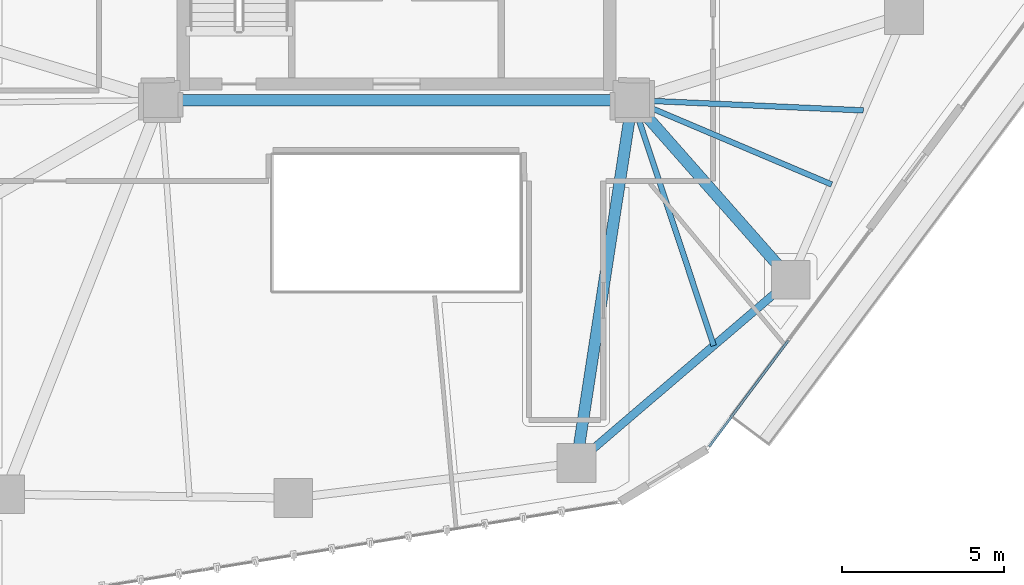
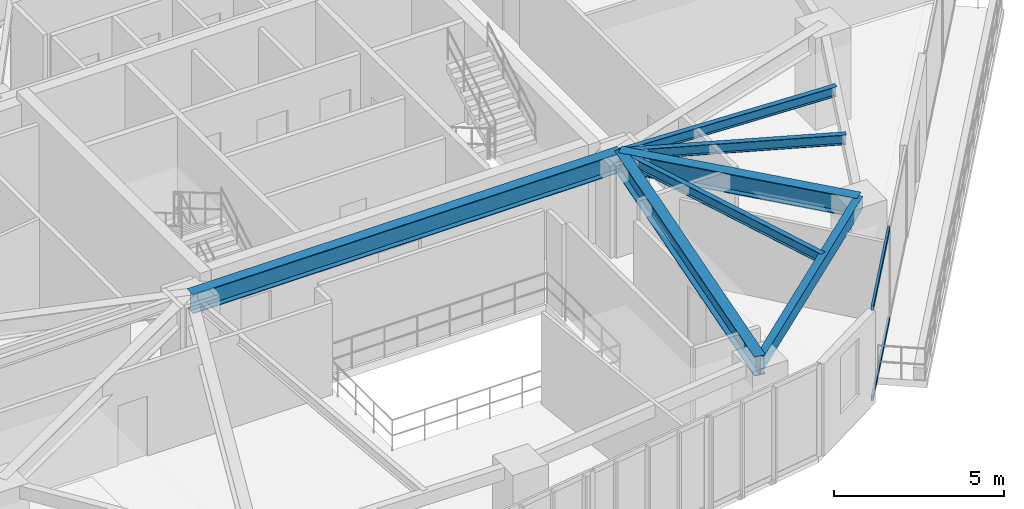
# One storey, part 7 of 23: 7 beams, 2 members, 1 element without a shape of its own.
"""IFC4 building model written with IfcOpenShell, lengths in metres."""

from ifc_helpers import new_model, si_unit, direction, frame, origin, origin_2d, place, context, subcontext, project, spatial, hollow_rectangle, i_section, extrude, source, transform, mapped, material, layer, layer_set, material_profile, profile_set, type_object, type_shapes, element, aggregate, save


model = new_model("IFC4")

# Units and contexts
model_context = context("Model", 3, precision=1e-05, world=origin(), true_north=direction((0.0, 1.0)))
body_context = subcontext(model_context, "Body", "Model", "MODEL_VIEW")
ifc_project = project(units=[si_unit("LENGTHUNIT", "METRE"), si_unit("AREAUNIT", "SQUARE_METRE"), si_unit("VOLUMEUNIT", "CUBIC_METRE"), si_unit("PLANEANGLEUNIT", "RADIAN"), si_unit("MASSUNIT", "GRAM", prefix="KILO")], contexts=[model_context])

# Site, building, storey
site_placement = place(None, origin())
site = spatial("IfcSite", under=ifc_project, at=site_placement, CompositionType="ELEMENT")
building_placement = place(site_placement, origin())
building = spatial("IfcBuilding", under=site, at=building_placement, Name="Talar Marvaseh", CompositionType="ELEMENT")
storey_placement = place(building_placement, frame((0.0, 0.0, 118.199951171875)))
storey = spatial("IfcBuildingStorey", under=building, at=storey_placement, Name="L30", CompositionType="ELEMENT", Elevation=118.199951171875)

# Beams
ifc_material_1 = material(Name="Steel S355", Category="steel")
ifc_material_profile_1 = material_profile(ifc_material_1, hollow_rectangle(XDim=0.25, YDim=0.449951171875, WallThickness=0.01611328125, at=origin_2d()), Name="RHS450x250x16")
ifc_profile_set_1 = profile_set([ifc_material_profile_1], Name="Steel S355")
beam_type_1 = type_object("IfcBeamType", Name="Zone 2 Perimeter Spandrel Beam RHS450x250x16", PredefinedType="SPANDREL", material=ifc_profile_set_1)
beam_1_placement = place(storey_placement, frame((38.2060546875, 19.94091796875, 3.0849609375), z_axis=(-0.76011265597, -0.649791312833, 0.0), x_axis=(0.649791312833, -0.76011265597, 0.0)))
element("IfcBeam", 1, at=beam_1_placement, inside=storey, type_object=beam_type_1, Name="L30 Zone 2 Perimeter Spandrel Beam RHS450x250x16", PredefinedType="SPANDREL", context=body_context, shape_type="SweptSolid", body=[
    extrude(hollow_rectangle(XDim=0.25, YDim=0.449951171875, WallThickness=0.01611328125, at=origin_2d()), origin(), (0.0, 0.0, 1.0), 8.730224609375),
])
ifc_material_profile_2 = material_profile(ifc_material_1, i_section(OverallWidth=0.35498046875, OverallDepth=0.695068359375, WebThickness=0.015380859375, FlangeThickness=0.02490234375, at=origin_2d()), Name="W690x217")
ifc_profile_set_2 = profile_set([ifc_material_profile_2], Name="Steel S355")
beam_type_2 = type_object("IfcBeamType", Name="Zone 2 Radial Floor Girder W690x217", PredefinedType="BEAM", material=ifc_profile_set_2)
beam_2_placement = place(storey_placement, frame((18.699951171875, 25.5, 2.962646484375), z_axis=(1.0, 0.0, 0.0), x_axis=(0.0, 1.0, 0.0)))
element("IfcBeam", 2, at=beam_2_placement, inside=storey, type_object=beam_type_2, Name="L30 Zone 2 Radial Floor Girder W690x217", PredefinedType="BEAM", context=body_context, shape_type="SweptSolid", body=[
    extrude(i_section(OverallWidth=0.35498046875, OverallDepth=0.695068359375, WebThickness=0.015380859375, FlangeThickness=0.02490234375, at=origin_2d()), origin(), (0.0, 0.0, 1.0), 14.60009765625),
])
beam_3_placement = place(storey_placement, frame((38.2060546875, 19.94091796875, 2.962646484375), z_axis=(-0.661692423388, 0.749775390921, 0.0), x_axis=(-0.749775390921, -0.661692423388, 0.0)))
element("IfcBeam", 3, at=beam_3_placement, inside=storey, type_object=beam_type_2, Name="L30 Zone 2 Radial Floor Girder W690x217", PredefinedType="BEAM", context=body_context, shape_type="SweptSolid", body=[
    extrude(i_section(OverallWidth=0.35498046875, OverallDepth=0.695068359375, WebThickness=0.015380859375, FlangeThickness=0.02490234375, at=origin_2d()), origin(), (0.0, 0.0, 1.0), 7.414306640625),
])
beam_4_placement = place(storey_placement, frame((31.570068359375, 14.26806640625, 2.962646484375), z_axis=(0.152228300633, 0.98834535689, 0.0), x_axis=(-0.98834535689, 0.152228300633, 0.0)))
element("IfcBeam", 4, at=beam_4_placement, inside=storey, type_object=beam_type_2, Name="L30 Zone 2 Radial Floor Girder W690x217", PredefinedType="BEAM", context=body_context, shape_type="SweptSolid", body=[
    extrude(i_section(OverallWidth=0.35498046875, OverallDepth=0.695068359375, WebThickness=0.015380859375, FlangeThickness=0.02490234375, at=origin_2d()), origin(), (0.0, 0.0, 1.0), 11.364501953125),
])
ifc_material_profile_3 = material_profile(ifc_material_1, i_section(OverallWidth=0.172119140625, OverallDepth=0.35791015625, WebThickness=0.0078125, FlangeThickness=0.01318359375, at=origin_2d()), Name="W360x57")
ifc_profile_set_3 = profile_set([ifc_material_profile_3], Name="Steel S355")
beam_type_3 = type_object("IfcBeamType", Name="Zone 2 Secondary Floor Joist W360x57", PredefinedType="JOIST", material=ifc_profile_set_3)
beam_5_placement = place(storey_placement, frame((40.447998046875, 25.1806640625, 3.131103515625), z_axis=(-0.999003555358, 0.044630666385, 0.0), x_axis=(-0.044630666385, -0.999003555358, 0.0)))
element("IfcBeam", 5, at=beam_5_placement, inside=storey, type_object=beam_type_3, Name="L30 Zone 2 Secondary Floor Joist W360x57", PredefinedType="JOIST", context=body_context, shape_type="SweptSolid", body=[
    extrude(i_section(OverallWidth=0.172119140625, OverallDepth=0.35791015625, WebThickness=0.0078125, FlangeThickness=0.01318359375, at=origin_2d()), origin(), (0.0, 0.0, 1.0), 7.155029296875),
])
beam_6_placement = place(storey_placement, frame((39.467041015625, 22.88818359375, 3.131103515625), z_axis=(-0.920822287071, 0.389982455546, 0.0), x_axis=(-0.389982455546, -0.920822287071, 0.0)))
element("IfcBeam", 6, at=beam_6_placement, inside=storey, type_object=beam_type_3, Name="L30 Zone 2 Secondary Floor Joist W360x57", PredefinedType="JOIST", context=body_context, shape_type="SweptSolid", body=[
    extrude(i_section(OverallWidth=0.172119140625, OverallDepth=0.35791015625, WebThickness=0.0078125, FlangeThickness=0.01318359375, at=origin_2d()), origin(), (0.0, 0.0, 1.0), 6.697265625),
])
beam_7_placement = place(storey_placement, frame((35.81689453125, 17.898681640625, 3.131103515625), z_axis=(-0.314324535154, 0.949315588516, 0.0), x_axis=(-0.949315588516, -0.314324535154, 0.0)))
element("IfcBeam", 7, at=beam_7_placement, inside=storey, type_object=beam_type_3, Name="L30 Zone 2 Secondary Floor Joist W360x57", PredefinedType="JOIST", context=body_context, shape_type="SweptSolid", body=[
    extrude(i_section(OverallWidth=0.172119140625, OverallDepth=0.35791015625, WebThickness=0.0078125, FlangeThickness=0.01318359375, at=origin_2d()), origin(), (0.0, 0.0, 1.0), 8.007080078125),
])

# Curtain wall, members
ifc_material_2 = material(Name="Architectural Aluminium", Category="aluminium")
ifc_layer = layer(ifc_material_2, 0.199951171875)
ifc_layer_set = layer_set([ifc_layer], Name="Architectural Aluminium")
curtain_wall_type = type_object("IfcCurtainWallType", Name="Unitised Acoustic Library Curtain Wall Z2", PredefinedType="NOTDEFINED", material=ifc_layer_set)
curtain_wall_placement = place(storey_placement, origin())
curtain_wall = element("IfcCurtainWall", 8, at=curtain_wall_placement, inside=storey, type_object=curtain_wall_type, Name="L30 Unitised Acoustic Library Curtain Wall Z2", PredefinedType="NOTDEFINED")
ifc_material_profile_4 = material_profile(ifc_material_2, hollow_rectangle(XDim=0.074951171875, YDim=0.179931640625, WallThickness=0.0048828125, at=origin_2d()), Name="RHS180x75x5")
ifc_profile_set_4 = profile_set([ifc_material_profile_4], Name="Architectural Aluminium")
member_type = type_object("IfcMemberType", Name="Unitised Curtain Wall Transom RHS180x75x5", PredefinedType="USERDEFINED", material=ifc_profile_set_4)
shared_shape = source(origin(), body_context, "Body", "SweptSolid", [
    extrude(hollow_rectangle(XDim=0.074951171875, YDim=0.179931640625, WallThickness=0.0048828125, at=origin_2d()), origin(), (0.0, 0.0, 1.0), 4.10302734375),
])
type_shapes(member_type, [shared_shape])
member_1_placement = place(storey_placement, frame((38.13037109375, 18.061767578125, 0.03759765625), z_axis=(-0.598475649606, -0.801140996847, 0.0), x_axis=(0.801140996847, -0.598475649606, 0.0)))
member_1 = element("IfcMember", 9, at=member_1_placement, type_object=member_type, Name="CW-Z2 transom 2.1", ObjectType="TRANSOM", PredefinedType="USERDEFINED", context=body_context, shape_type="MappedRepresentation", body=[
    mapped(shared_shape, transform((0.0, 0.0, 0.0), x_axis=(1.0, 0.0, 0.0), y_axis=(0.0, 1.0, 0.0), z_axis=(0.0, 0.0, 1.0), scale=1.0)),
])
member_2_placement = place(storey_placement, frame((38.13037109375, 18.061767578125, 3.2724609375), z_axis=(-0.598475649606, -0.801140996847, 0.0), x_axis=(0.801140996847, -0.598475649606, 0.0)))
member_2 = element("IfcMember", 10, at=member_2_placement, type_object=member_type, Name="CW-Z2 transom 2.2", ObjectType="TRANSOM", PredefinedType="USERDEFINED", context=body_context, shape_type="MappedRepresentation", body=[
    mapped(shared_shape, transform((0.0, 0.0, 0.0), x_axis=(1.0, 0.0, 0.0), y_axis=(0.0, 1.0, 0.0), z_axis=(0.0, 0.0, 1.0), scale=1.0)),
])
aggregate(curtain_wall, [member_1, member_2])

save(model, "model.ifc")
